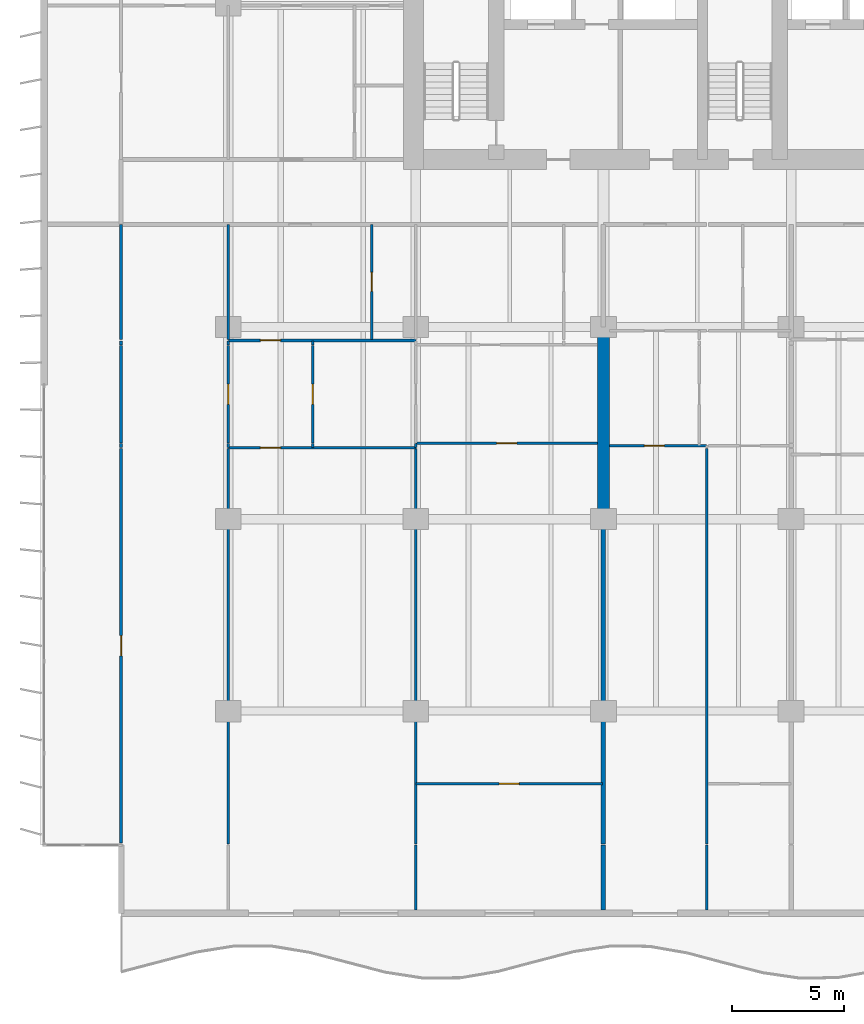
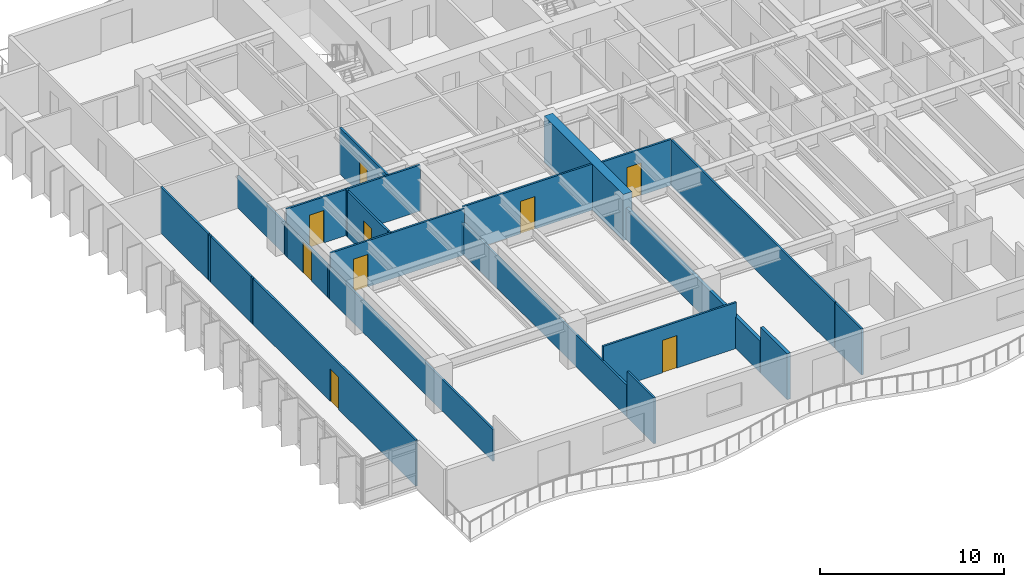
# One storey, part 6 of 18: 27 walls, 9 doors, 9 openings.
"""IFC4 building model written with IfcOpenShell, lengths in metres."""

from ifc_helpers import new_model, si_unit, direction, frame, frame_2d, origin, place, context, subcontext, project, spatial, rectangle, extrude, material, layer, layer_set, type_object, element, fill, save


model = new_model("IFC4")

# Units and contexts
model_context = context("Model", 3, precision=1e-05, world=origin(), true_north=direction((0.0, 1.0)))
body_context = subcontext(model_context, "Body", "Model", "MODEL_VIEW")
ifc_project = project(units=[si_unit("LENGTHUNIT", "METRE"), si_unit("AREAUNIT", "SQUARE_METRE"), si_unit("VOLUMEUNIT", "CUBIC_METRE"), si_unit("PLANEANGLEUNIT", "RADIAN"), si_unit("MASSUNIT", "GRAM", prefix="KILO")], contexts=[model_context])

# Site, building, storey
site_placement = place(None, origin())
site = spatial("IfcSite", under=ifc_project, at=site_placement, CompositionType="ELEMENT")
building_placement = place(site_placement, origin())
building = spatial("IfcBuilding", under=site, at=building_placement, Name="Caelmar Bay Residences", CompositionType="ELEMENT")
storey_placement = place(building_placement, frame((0.0, 0.0, 43.199951171875)))
storey = spatial("IfcBuildingStorey", under=building, at=storey_placement, Name="L10", CompositionType="ELEMENT", Elevation=43.199951171875)

# Wall
ifc_material_1 = material(Name="Concrete f'c 70 MPa (10,000 psi)", Category="concrete")
ifc_layer_1 = layer(ifc_material_1, 0.550048828125)
ifc_layer_set_1 = layer_set([ifc_layer_1], Name="Concrete f'c 70 MPa (10,000 psi)")
wall_type_1 = type_object("IfcWallType", Name="SW-XSLB-550", PredefinedType="SHEAR", material=ifc_layer_set_1)
wall_1_placement = place(storey_placement, frame((26.699951171875, 20.800048828125, 0.0), z_axis=(0.0, 0.0, 1.0), x_axis=(0.0, 1.0, 0.0)))
element("IfcWall", 1, at=wall_1_placement, inside=storey, type_object=wall_type_1, Name="L10 Transverse Cross-Slab Shear Wall W5", PredefinedType="SHEAR", context=body_context, shape_type="SweptSolid", body=[
    extrude(rectangle(XDim=8.599853515625, YDim=0.550048828125, at=frame_2d((4.2998046875, 0.0))), origin(), (0.0, 0.0, 1.0), 3.050048828125),
])

# Wall, opening, door
ifc_material_2 = material(Name="Acoustic metal-stud gypsum partition 120 mm")
ifc_layer_2 = layer(ifc_material_2, 0.1201171875)
ifc_layer_set_2 = layer_set([ifc_layer_2], Name="Acoustic metal-stud gypsum partition 120 mm")
wall_type_2 = type_object("IfcWallType", Name="W-PRT-120", PredefinedType="PARTITIONING", material=ifc_layer_set_2)
wall_2_placement = place(storey_placement, frame((5.10009765625, 6.284912109375, 0.0), z_axis=(0.0, 0.0, 1.0), x_axis=(0.0, 1.0, 0.0)))
wall_2 = element("IfcWall", 2, at=wall_2_placement, inside=storey, type_object=wall_type_2, Name="L10 Partition Wall V001", PredefinedType="PARTITIONING", context=body_context, shape_type="SweptSolid", body=[
    extrude(rectangle(XDim=17.68505859375, YDim=0.1201171875, at=frame_2d((8.842529296875, 0.0))), origin(), (0.0, 0.0, 1.0), 3.050048828125),
])
opening_1_placement = place(wall_2_placement, frame((8.392578125, 0.0, 0.0)))
opening_1 = element("IfcOpeningElement", 3, at=opening_1_placement, cuts=wall_2, Name="Opening D-L10-166", PredefinedType="OPENING", context=body_context, shape_type="SweptSolid", body=[
    extrude(rectangle(XDim=0.89990234375, YDim=2.14990234375, at=frame_2d((0.449951171875, 1.074951171875))), frame((0.0, 0.070068359375, 0.0), z_axis=(0.0, -1.0, 0.0), x_axis=(1.0, 0.0, 0.0)), (0.0, 0.0, 1.0), 0.14013671875),
])
ifc_material_3 = material(Name="Solid walnut timber interior door leaf and frame", Category="wood")
ifc_layer_3 = layer(ifc_material_3, 0.050048828125)
ifc_layer_set_3 = layer_set([ifc_layer_3], Name="Solid walnut timber interior door leaf and frame")
door_type_1 = type_object("IfcDoorType", Name="D-ROOM-900", OperationType="NOTDEFINED", PredefinedType="DOOR", material=ifc_layer_set_3)
door_1_placement = place(opening_1_placement, origin())
door_1 = element("IfcDoor", 4, at=door_1_placement, inside=storey, type_object=door_type_1, Name="L10 Residence 01 Penthouse West Salon Door", OperationType="SINGLE_SWING_LEFT", OverallHeight=2.14990234375, OverallWidth=0.89990234375, PredefinedType="DOOR", context=body_context, shape_type="SweptSolid", body=[
    extrude(rectangle(XDim=0.89990234375, YDim=2.14990234375, at=frame_2d((0.449951171875, 1.074951171875))), frame((0.0, 0.02490234375, 0.0), z_axis=(0.0, -1.0, 0.0), x_axis=(1.0, 0.0, 0.0)), (0.0, 0.0, 1.0), 0.050048828125),
])
fill(opening_1, door_1)

# Walls
wall_3_placement = place(storey_placement, frame((5.10009765625, 24.0, 0.0), z_axis=(0.0, 0.0, 1.0), x_axis=(0.0, 1.0, 0.0)))
element("IfcWall", 5, at=wall_3_placement, inside=storey, type_object=wall_type_2, Name="L10 Partition Wall V002", PredefinedType="PARTITIONING", context=body_context, shape_type="SweptSolid", body=[
    extrude(rectangle(XDim=0.179931640625, YDim=0.1201171875, at=frame_2d((0.08984375, 0.0))), origin(), (0.0, 0.0, 1.0), 3.050048828125),
])
wall_4_placement = place(storey_placement, frame((5.10009765625, 24.199951171875, 0.0), z_axis=(0.0, 0.0, 1.0), x_axis=(0.0, 1.0, 0.0)))
element("IfcWall", 6, at=wall_4_placement, inside=storey, type_object=wall_type_2, Name="L10 Partition Wall V003", PredefinedType="PARTITIONING", context=body_context, shape_type="SweptSolid", body=[
    extrude(rectangle(XDim=4.380126953125, YDim=0.1201171875, at=frame_2d((2.18994140625, 0.0))), origin(), (0.0, 0.0, 1.0), 3.050048828125),
])
wall_5_placement = place(storey_placement, frame((5.10009765625, 28.60009765625, 0.0), z_axis=(0.0, 0.0, 1.0), x_axis=(0.0, 1.0, 0.0)))
element("IfcWall", 7, at=wall_5_placement, inside=storey, type_object=wall_type_2, Name="L10 Partition Wall V004", PredefinedType="PARTITIONING", context=body_context, shape_type="SweptSolid", body=[
    extrude(rectangle(XDim=0.179931640625, YDim=0.1201171875, at=frame_2d((0.08984375, 0.0))), origin(), (0.0, 0.0, 1.0), 3.050048828125),
])
wall_6_placement = place(storey_placement, frame((5.10009765625, 28.840087890625, 0.0), z_axis=(0.0, 0.0, 1.0), x_axis=(0.0, 1.0, 0.0)))
element("IfcWall", 8, at=wall_6_placement, inside=storey, type_object=wall_type_2, Name="L10 Partition Wall V005", PredefinedType="PARTITIONING", context=body_context, shape_type="SweptSolid", body=[
    extrude(rectangle(XDim=5.159912109375, YDim=0.1201171875, at=frame_2d((2.580078125, 0.0))), origin(), (0.0, 0.0, 1.0), 3.050048828125),
])
wall_7_placement = place(storey_placement, frame((9.89990234375, 6.239990234375, 0.0), z_axis=(0.0, 0.0, 1.0), x_axis=(0.0, 1.0, 0.0)))
element("IfcWall", 9, at=wall_7_placement, inside=storey, type_object=wall_type_2, Name="L10 Partition Wall V009", PredefinedType="PARTITIONING", context=body_context, shape_type="SweptSolid", body=[
    extrude(rectangle(XDim=17.72998046875, YDim=0.1201171875, at=frame_2d((8.864990234375, 0.0))), origin(), (0.0, 0.0, 1.0), 2.110107421875),
])
wall_8_placement = place(storey_placement, frame((9.89990234375, 24.0, 0.0), z_axis=(0.0, 0.0, 1.0), x_axis=(0.0, 1.0, 0.0)))
element("IfcWall", 10, at=wall_8_placement, inside=storey, type_object=wall_type_2, Name="L10 Partition Wall V010", PredefinedType="PARTITIONING", context=body_context, shape_type="SweptSolid", body=[
    extrude(rectangle(XDim=0.179931640625, YDim=0.1201171875, at=frame_2d((0.08984375, 0.0))), origin(), (0.0, 0.0, 1.0), 2.110107421875),
])

# Wall, opening, door
wall_9_placement = place(storey_placement, frame((9.89990234375, 24.199951171875, 0.0), z_axis=(0.0, 0.0, 1.0), x_axis=(0.0, 1.0, 0.0)))
wall_9 = element("IfcWall", 11, at=wall_9_placement, inside=storey, type_object=wall_type_2, Name="L10 Partition Wall V011", PredefinedType="PARTITIONING", context=body_context, shape_type="SweptSolid", body=[
    extrude(rectangle(XDim=4.380126953125, YDim=0.1201171875, at=frame_2d((2.18994140625, 0.0))), origin(), (0.0, 0.0, 1.0), 2.110107421875),
])
opening_2_placement = place(wall_9_placement, frame((1.739990234375, 0.0, 0.0)))
opening_2 = element("IfcOpeningElement", 12, at=opening_2_placement, cuts=wall_9, Name="Opening D-L10-133", PredefinedType="OPENING", context=body_context, shape_type="SweptSolid", body=[
    extrude(rectangle(XDim=0.89990234375, YDim=2.06005859375, at=frame_2d((0.449951171875, 1.030029296875))), frame((0.0, 0.070068359375, 0.0), z_axis=(0.0, -1.0, 0.0), x_axis=(1.0, 0.0, 0.0)), (0.0, 0.0, 1.0), 0.14013671875),
])
door_2_placement = place(opening_2_placement, origin())
door_2 = element("IfcDoor", 13, at=door_2_placement, inside=storey, type_object=door_type_1, Name="L10 Residence 01 West Apartment Hall Door", OperationType="SINGLE_SWING_RIGHT", OverallHeight=2.06005859375, OverallWidth=0.89990234375, PredefinedType="DOOR", context=body_context, shape_type="SweptSolid", body=[
    extrude(rectangle(XDim=0.89990234375, YDim=2.06005859375, at=frame_2d((0.449951171875, 1.030029296875))), frame((0.0, 0.02490234375, 0.0), z_axis=(0.0, -1.0, 0.0), x_axis=(1.0, 0.0, 0.0)), (0.0, 0.0, 1.0), 0.050048828125),
])
fill(opening_2, door_2)

# Walls
wall_10_placement = place(storey_placement, frame((9.89990234375, 28.60009765625, 0.0), z_axis=(0.0, 0.0, 1.0), x_axis=(0.0, 1.0, 0.0)))
element("IfcWall", 14, at=wall_10_placement, inside=storey, type_object=wall_type_2, Name="L10 Partition Wall V012", PredefinedType="PARTITIONING", context=body_context, shape_type="SweptSolid", body=[
    extrude(rectangle(XDim=0.179931640625, YDim=0.1201171875, at=frame_2d((0.08984375, 0.0))), origin(), (0.0, 0.0, 1.0), 2.110107421875),
])
wall_11_placement = place(storey_placement, frame((9.89990234375, 28.840087890625, 0.0), z_axis=(0.0, 0.0, 1.0), x_axis=(0.0, 1.0, 0.0)))
element("IfcWall", 15, at=wall_11_placement, inside=storey, type_object=wall_type_2, Name="L10 Partition Wall V013", PredefinedType="PARTITIONING", context=body_context, shape_type="SweptSolid", body=[
    extrude(rectangle(XDim=5.159912109375, YDim=0.1201171875, at=frame_2d((2.580078125, 0.0))), origin(), (0.0, 0.0, 1.0), 2.110107421875),
])
wall_12_placement = place(storey_placement, frame((13.679931640625, 24.0, 0.0), z_axis=(0.0, 0.0, 1.0), x_axis=(0.0, 1.0, 0.0)))
element("IfcWall", 16, at=wall_12_placement, inside=storey, type_object=wall_type_2, Name="L10 Partition Wall V015", PredefinedType="PARTITIONING", context=body_context, shape_type="SweptSolid", body=[
    extrude(rectangle(XDim=0.179931640625, YDim=0.1201171875, at=frame_2d((0.08984375, 0.0))), origin(), (0.0, 0.0, 1.0), 3.050048828125),
])

# Wall, opening, door
wall_13_placement = place(storey_placement, frame((13.679931640625, 24.199951171875, 0.0), z_axis=(0.0, 0.0, 1.0), x_axis=(0.0, 1.0, 0.0)))
wall_13 = element("IfcWall", 17, at=wall_13_placement, inside=storey, type_object=wall_type_2, Name="L10 Partition Wall V016", PredefinedType="PARTITIONING", context=body_context, shape_type="SweptSolid", body=[
    extrude(rectangle(XDim=4.380126953125, YDim=0.1201171875, at=frame_2d((2.18994140625, 0.0))), origin(), (0.0, 0.0, 1.0), 3.050048828125),
])
opening_3_placement = place(wall_13_placement, frame((1.739990234375, 0.0, 0.0)))
opening_3 = element("IfcOpeningElement", 18, at=opening_3_placement, cuts=wall_13, Name="Opening D-L10-126", PredefinedType="OPENING", context=body_context, shape_type="SweptSolid", body=[
    extrude(rectangle(XDim=0.89990234375, YDim=2.14990234375, at=frame_2d((0.449951171875, 1.074951171875))), frame((0.0, 0.070068359375, 0.0), z_axis=(0.0, -1.0, 0.0), x_axis=(1.0, 0.0, 0.0)), (0.0, 0.0, 1.0), 0.14013671875),
])
door_3_placement = place(opening_3_placement, origin())
door_3 = element("IfcDoor", 19, at=door_3_placement, inside=storey, type_object=door_type_1, Name="L10 Residence 01 Kitchen Door", OperationType="SINGLE_SWING_LEFT", OverallHeight=2.14990234375, OverallWidth=0.89990234375, PredefinedType="DOOR", context=body_context, shape_type="SweptSolid", body=[
    extrude(rectangle(XDim=0.89990234375, YDim=2.14990234375, at=frame_2d((0.449951171875, 1.074951171875))), frame((0.0, 0.02490234375, 0.0), z_axis=(0.0, -1.0, 0.0), x_axis=(1.0, 0.0, 0.0)), (0.0, 0.0, 1.0), 0.050048828125),
])
fill(opening_3, door_3)

# Wall
wall_14_placement = place(storey_placement, frame((13.679931640625, 28.60009765625, 0.0), z_axis=(0.0, 0.0, 1.0), x_axis=(0.0, 1.0, 0.0)))
element("IfcWall", 20, at=wall_14_placement, inside=storey, type_object=wall_type_2, Name="L10 Partition Wall V017", PredefinedType="PARTITIONING", context=body_context, shape_type="SweptSolid", body=[
    extrude(rectangle(XDim=0.179931640625, YDim=0.1201171875, at=frame_2d((0.08984375, 0.0))), origin(), (0.0, 0.0, 1.0), 3.050048828125),
])

# Wall, opening, door
wall_15_placement = place(storey_placement, frame((16.319091796875, 28.840087890625, 0.0), z_axis=(0.0, 0.0, 1.0), x_axis=(0.0, 1.0, 0.0)))
wall_15 = element("IfcWall", 21, at=wall_15_placement, inside=storey, type_object=wall_type_2, Name="L10 Partition Wall V019", PredefinedType="PARTITIONING", context=body_context, shape_type="SweptSolid", body=[
    extrude(rectangle(XDim=5.159912109375, YDim=0.1201171875, at=frame_2d((2.580078125, 0.0))), origin(), (0.0, 0.0, 1.0), 3.050048828125),
])
opening_4_placement = place(wall_15_placement, frame((2.155029296875, 0.0, 0.0)))
opening_4 = element("IfcOpeningElement", 22, at=opening_4_placement, cuts=wall_15, Name="Opening D-L10-124", PredefinedType="OPENING", context=body_context, shape_type="SweptSolid", body=[
    extrude(rectangle(XDim=0.85009765625, YDim=2.10009765625, at=frame_2d((0.425048828125, 1.050048828125))), frame((0.0, 0.070068359375, 0.0), z_axis=(0.0, -1.0, 0.0), x_axis=(1.0, 0.0, 0.0)), (0.0, 0.0, 1.0), 0.14013671875),
])
ifc_layer_4 = layer(ifc_material_3, 0.050048828125)
ifc_layer_set_4 = layer_set([ifc_layer_4], Name="Solid walnut timber interior door leaf and frame")
door_type_2 = type_object("IfcDoorType", Name="D-BATH-850", OperationType="NOTDEFINED", PredefinedType="DOOR", material=ifc_layer_set_4)
door_4_placement = place(opening_4_placement, origin())
door_4 = element("IfcDoor", 23, at=door_4_placement, inside=storey, type_object=door_type_2, Name="L10 Residence 01 Guest Bathroom Door", OperationType="SINGLE_SWING_LEFT", OverallHeight=2.10009765625, OverallWidth=0.85009765625, PredefinedType="DOOR", context=body_context, shape_type="SweptSolid", body=[
    extrude(rectangle(XDim=0.85009765625, YDim=2.10009765625, at=frame_2d((0.425048828125, 1.050048828125))), frame((0.0, 0.02490234375, 0.0), z_axis=(0.0, -1.0, 0.0), x_axis=(1.0, 0.0, 0.0)), (0.0, 0.0, 1.0), 0.050048828125),
])
fill(opening_4, door_4)

# Walls
wall_16_placement = place(storey_placement, frame((18.300048828125, 3.294921875, 0.0), z_axis=(0.0, 0.0, 1.0), x_axis=(0.0, 1.0, 0.0)))
element("IfcWall", 24, at=wall_16_placement, inside=storey, type_object=wall_type_2, Name="L10 Partition Wall V020", PredefinedType="PARTITIONING", context=body_context, shape_type="SweptSolid", body=[
    extrude(rectangle(XDim=2.905029296875, YDim=0.1201171875, at=frame_2d((1.45263671875, 0.0))), origin(), (0.0, 0.0, 1.0), 3.050048828125),
])
wall_17_placement = place(storey_placement, frame((18.300048828125, 6.239990234375, 0.0), z_axis=(0.0, 0.0, 1.0), x_axis=(0.0, 1.0, 0.0)))
element("IfcWall", 25, at=wall_17_placement, inside=storey, type_object=wall_type_2, Name="L10 Partition Wall V021", PredefinedType="PARTITIONING", context=body_context, shape_type="SweptSolid", body=[
    extrude(rectangle(XDim=17.72998046875, YDim=0.1201171875, at=frame_2d((8.864990234375, 0.0))), origin(), (0.0, 0.0, 1.0), 2.110107421875),
])
wall_18_placement = place(storey_placement, frame((18.300048828125, 24.0, 0.0), z_axis=(0.0, 0.0, 1.0), x_axis=(0.0, 1.0, 0.0)))
element("IfcWall", 26, at=wall_18_placement, inside=storey, type_object=wall_type_2, Name="L10 Partition Wall V022", PredefinedType="PARTITIONING", context=body_context, shape_type="SweptSolid", body=[
    extrude(rectangle(XDim=0.179931640625, YDim=0.1201171875, at=frame_2d((0.08984375, 0.0))), origin(), (0.0, 0.0, 1.0), 2.110107421875),
])
wall_19_placement = place(storey_placement, frame((31.320068359375, 3.294921875, 0.0), z_axis=(0.0, 0.0, 1.0), x_axis=(0.0, 1.0, 0.0)))
element("IfcWall", 27, at=wall_19_placement, inside=storey, type_object=wall_type_2, Name="L10 Partition Wall V040", PredefinedType="PARTITIONING", context=body_context, shape_type="SweptSolid", body=[
    extrude(rectangle(XDim=2.905029296875, YDim=0.1201171875, at=frame_2d((1.45263671875, 0.0))), origin(), (0.0, 0.0, 1.0), 3.050048828125),
])
wall_20_placement = place(storey_placement, frame((31.320068359375, 6.239990234375, 0.0), z_axis=(0.0, 0.0, 1.0), x_axis=(0.0, 1.0, 0.0)))
element("IfcWall", 28, at=wall_20_placement, inside=storey, type_object=wall_type_2, Name="L10 Partition Wall V041", PredefinedType="PARTITIONING", context=body_context, shape_type="SweptSolid", body=[
    extrude(rectangle(XDim=17.72998046875, YDim=0.1201171875, at=frame_2d((8.864990234375, 0.0))), origin(), (0.0, 0.0, 1.0), 3.050048828125),
])

# Wall, opening, door
wall_21_placement = place(storey_placement, frame((18.300048828125, 8.949951171875, 0.0), z_axis=(0.0, 0.0, 1.0), x_axis=(1.0, 0.0, 0.0)))
wall_21 = element("IfcWall", 29, at=wall_21_placement, inside=storey, type_object=wall_type_2, Name="L10 Partition Wall H113", PredefinedType="PARTITIONING", context=body_context, shape_type="SweptSolid", body=[
    extrude(rectangle(XDim=8.349853515625, YDim=0.1201171875, at=frame_2d((4.1748046875, 0.0))), origin(), (0.0, 0.0, 1.0), 3.050048828125),
])
opening_5_placement = place(wall_21_placement, frame((3.72509765625, 0.0, 0.0)))
opening_5 = element("IfcOpeningElement", 30, at=opening_5_placement, cuts=wall_21, Name="Opening D-L10-132", PredefinedType="OPENING", context=body_context, shape_type="SweptSolid", body=[
    extrude(rectangle(XDim=0.89990234375, YDim=2.14990234375, at=frame_2d((0.449951171875, 1.074951171875))), frame((0.0, 0.070068359375, 0.0), z_axis=(0.0, -1.0, 0.0), x_axis=(1.0, 0.0, 0.0)), (0.0, 0.0, 1.0), 0.14013671875),
])
door_5_placement = place(opening_5_placement, origin())
door_5 = element("IfcDoor", 31, at=door_5_placement, inside=storey, type_object=door_type_1, Name="L10 Residence 01 Primary Bedroom 1 Door", OperationType="SINGLE_SWING_LEFT", OverallHeight=2.14990234375, OverallWidth=0.89990234375, PredefinedType="DOOR", context=body_context, shape_type="SweptSolid", body=[
    extrude(rectangle(XDim=0.89990234375, YDim=2.14990234375, at=frame_2d((0.449951171875, 1.074951171875))), frame((0.0, 0.02490234375, 0.0), z_axis=(0.0, -1.0, 0.0), x_axis=(1.0, 0.0, 0.0)), (0.0, 0.0, 1.0), 0.050048828125),
])
fill(opening_5, door_5)

wall_22_placement = place(storey_placement, frame((9.89990234375, 24.0, 0.0), z_axis=(0.0, 0.0, 1.0), x_axis=(1.0, 0.0, 0.0)))
wall_22 = element("IfcWall", 32, at=wall_22_placement, inside=storey, type_object=wall_type_2, Name="L10 Partition Wall H121", PredefinedType="PARTITIONING", context=body_context, shape_type="SweptSolid", body=[
    extrude(rectangle(XDim=8.400146484375, YDim=0.1201171875, at=frame_2d((4.2001953125, 0.0))), origin(), (0.0, 0.0, 1.0), 3.050048828125),
])
opening_6_placement = place(wall_22_placement, frame((1.43994140625, 0.0, 0.0)))
opening_6 = element("IfcOpeningElement", 33, at=opening_6_placement, cuts=wall_22, Name="Opening D-L10-127", PredefinedType="OPENING", context=body_context, shape_type="SweptSolid", body=[
    extrude(rectangle(XDim=0.89990234375, YDim=2.14990234375, at=frame_2d((0.449951171875, 1.074951171875))), frame((0.0, 0.070068359375, 0.0), z_axis=(0.0, -1.0, 0.0), x_axis=(1.0, 0.0, 0.0)), (0.0, 0.0, 1.0), 0.14013671875),
])
door_6_placement = place(opening_6_placement, origin())
door_6 = element("IfcDoor", 34, at=door_6_placement, inside=storey, type_object=door_type_1, Name="L10 Residence 01 Penthouse Living Salon Door", OperationType="SINGLE_SWING_RIGHT", OverallHeight=2.14990234375, OverallWidth=0.89990234375, PredefinedType="DOOR", context=body_context, shape_type="SweptSolid", body=[
    extrude(rectangle(XDim=0.89990234375, YDim=2.14990234375, at=frame_2d((0.449951171875, 1.074951171875))), frame((0.0, 0.02490234375, 0.0), z_axis=(0.0, -1.0, 0.0), x_axis=(1.0, 0.0, 0.0)), (0.0, 0.0, 1.0), 0.050048828125),
])
fill(opening_6, door_6)

wall_23_placement = place(storey_placement, frame((26.969970703125, 24.090087890625, 0.0), z_axis=(0.0, 0.0, 1.0), x_axis=(1.0, 0.0, 0.0)))
wall_23 = element("IfcWall", 35, at=wall_23_placement, inside=storey, type_object=wall_type_2, Name="L10 Partition Wall H122", PredefinedType="PARTITIONING", context=body_context, shape_type="SweptSolid", body=[
    extrude(rectangle(XDim=4.35009765625, YDim=0.1201171875, at=frame_2d((2.175048828125, 0.0))), origin(), (0.0, 0.0, 1.0), 3.050048828125),
])
opening_7_placement = place(wall_23_placement, frame((1.55810546875, 0.0, 0.0)))
opening_7 = element("IfcOpeningElement", 36, at=opening_7_placement, cuts=wall_23, Name="Opening D-L10-138", PredefinedType="OPENING", context=body_context, shape_type="SweptSolid", body=[
    extrude(rectangle(XDim=0.89990234375, YDim=2.14990234375, at=frame_2d((0.449951171875, 1.074951171875))), frame((0.0, 0.070068359375, 0.0), z_axis=(0.0, -1.0, 0.0), x_axis=(1.0, 0.0, 0.0)), (0.0, 0.0, 1.0), 0.14013671875),
])
door_7_placement = place(opening_7_placement, origin())
door_7 = element("IfcDoor", 37, at=door_7_placement, inside=storey, type_object=door_type_1, Name="L10 Residence 02 Penthouse Living Salon Door", OperationType="SINGLE_SWING_LEFT", OverallHeight=2.14990234375, OverallWidth=0.89990234375, PredefinedType="DOOR", context=body_context, shape_type="SweptSolid", body=[
    extrude(rectangle(XDim=0.89990234375, YDim=2.14990234375, at=frame_2d((0.449951171875, 1.074951171875))), frame((0.0, 0.02490234375, 0.0), z_axis=(0.0, -1.0, 0.0), x_axis=(1.0, 0.0, 0.0)), (0.0, 0.0, 1.0), 0.050048828125),
])
fill(opening_7, door_7)

wall_24_placement = place(storey_placement, frame((18.304931640625, 24.199951171875, 0.0), z_axis=(0.0, 0.0, 1.0), x_axis=(1.0, 0.0, 0.0)))
wall_24 = element("IfcWall", 38, at=wall_24_placement, inside=storey, type_object=wall_type_2, Name="L10 Partition Wall H125", PredefinedType="PARTITIONING", context=body_context, shape_type="SweptSolid", body=[
    extrude(rectangle(XDim=8.125, YDim=0.1201171875, at=frame_2d((4.0625, 0.0))), origin(), (0.0, 0.0, 1.0), 3.050048828125),
])
opening_8_placement = place(wall_24_placement, frame((3.612548828125, 0.0, 0.0)))
opening_8 = element("IfcOpeningElement", 39, at=opening_8_placement, cuts=wall_24, Name="Opening D-L10-131", PredefinedType="OPENING", context=body_context, shape_type="SweptSolid", body=[
    extrude(rectangle(XDim=0.89990234375, YDim=2.14990234375, at=frame_2d((0.449951171875, 1.074951171875))), frame((0.0, 0.070068359375, 0.0), z_axis=(0.0, -1.0, 0.0), x_axis=(1.0, 0.0, 0.0)), (0.0, 0.0, 1.0), 0.14013671875),
])
door_8_placement = place(opening_8_placement, origin())
door_8 = element("IfcDoor", 40, at=door_8_placement, inside=storey, type_object=door_type_1, Name="L10 Residence 01 Penthouse Sitting Salon 1 Door", OperationType="SINGLE_SWING_RIGHT", OverallHeight=2.14990234375, OverallWidth=0.89990234375, PredefinedType="DOOR", context=body_context, shape_type="SweptSolid", body=[
    extrude(rectangle(XDim=0.89990234375, YDim=2.14990234375, at=frame_2d((0.449951171875, 1.074951171875))), frame((0.0, 0.02490234375, 0.0), z_axis=(0.0, -1.0, 0.0), x_axis=(1.0, 0.0, 0.0)), (0.0, 0.0, 1.0), 0.050048828125),
])
fill(opening_8, door_8)

wall_25_placement = place(storey_placement, frame((9.89990234375, 28.800048828125, 0.0), z_axis=(0.0, 0.0, 1.0), x_axis=(1.0, 0.0, 0.0)))
wall_25 = element("IfcWall", 41, at=wall_25_placement, inside=storey, type_object=wall_type_2, Name="L10 Partition Wall H129", PredefinedType="PARTITIONING", context=body_context, shape_type="SweptSolid", body=[
    extrude(rectangle(XDim=8.39501953125, YDim=0.1201171875, at=frame_2d((4.197509765625, 0.0))), origin(), (0.0, 0.0, 1.0), 3.050048828125),
])
opening_9_placement = place(wall_25_placement, frame((1.43994140625, 0.0, 0.0)))
opening_9 = element("IfcOpeningElement", 42, at=opening_9_placement, cuts=wall_25, Name="Opening D-L10-125", PredefinedType="OPENING", context=body_context, shape_type="SweptSolid", body=[
    extrude(rectangle(XDim=0.89990234375, YDim=2.14990234375, at=frame_2d((0.449951171875, 1.074951171875))), frame((0.0, 0.070068359375, 0.0), z_axis=(0.0, -1.0, 0.0), x_axis=(1.0, 0.0, 0.0)), (0.0, 0.0, 1.0), 0.14013671875),
])
door_9_placement = place(opening_9_placement, origin())
door_9 = element("IfcDoor", 43, at=door_9_placement, inside=storey, type_object=door_type_1, Name="L10 Residence 01 Dining Room Door", OperationType="SINGLE_SWING_RIGHT", OverallHeight=2.14990234375, OverallWidth=0.89990234375, PredefinedType="DOOR", context=body_context, shape_type="SweptSolid", body=[
    extrude(rectangle(XDim=0.89990234375, YDim=2.14990234375, at=frame_2d((0.449951171875, 1.074951171875))), frame((0.0, 0.02490234375, 0.0), z_axis=(0.0, -1.0, 0.0), x_axis=(1.0, 0.0, 0.0)), (0.0, 0.0, 1.0), 0.050048828125),
])
fill(opening_9, door_9)

# Walls
ifc_material_4 = material(Name="Acoustic twin-stud fire-rated inter-tenancy partition 200 mm")
ifc_layer_5 = layer(ifc_material_4, 0.199951171875)
ifc_layer_set_5 = layer_set([ifc_layer_5], Name="Acoustic twin-stud fire-rated inter-tenancy partition 200 mm")
wall_type_3 = type_object("IfcWallType", Name="W-PTY-200", PredefinedType="PARTITIONING", material=ifc_layer_set_5)
wall_26_placement = place(storey_placement, frame((26.699951171875, 3.294921875, 0.0), z_axis=(0.0, 0.0, 1.0), x_axis=(0.0, 1.0, 0.0)))
element("IfcWall", 44, at=wall_26_placement, inside=storey, type_object=wall_type_3, Name="L10 Partition Wall V031", PredefinedType="PARTITIONING", context=body_context, shape_type="SweptSolid", body=[
    extrude(rectangle(XDim=2.905029296875, YDim=0.199951171875, at=frame_2d((1.45263671875, 0.0))), origin(), (0.0, 0.0, 1.0), 3.050048828125),
])
wall_27_placement = place(storey_placement, frame((26.699951171875, 6.239990234375, 0.0), z_axis=(0.0, 0.0, 1.0), x_axis=(0.0, 1.0, 0.0)))
element("IfcWall", 45, at=wall_27_placement, inside=storey, type_object=wall_type_3, Name="L10 Partition Wall V032", PredefinedType="PARTITIONING", context=body_context, shape_type="SweptSolid", body=[
    extrude(rectangle(XDim=14.554931640625, YDim=0.199951171875, at=frame_2d((7.27734375, 0.0))), origin(), (0.0, 0.0, 1.0), 2.110107421875),
])

save(model, "model.ifc")
